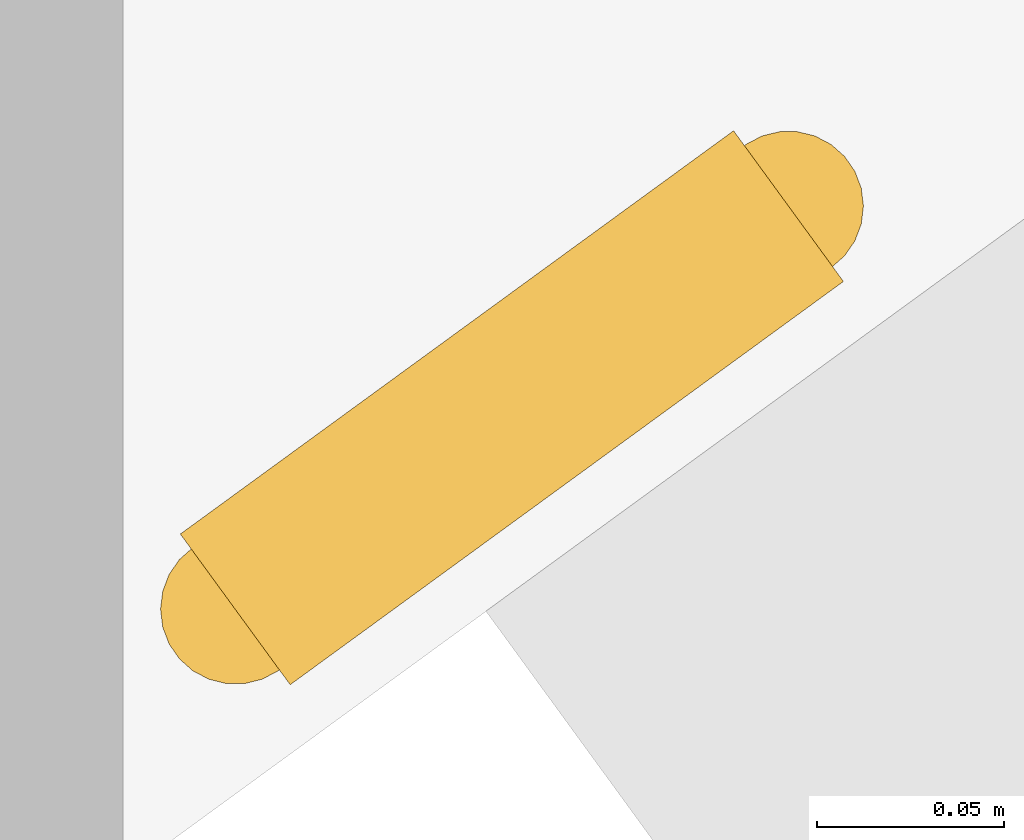
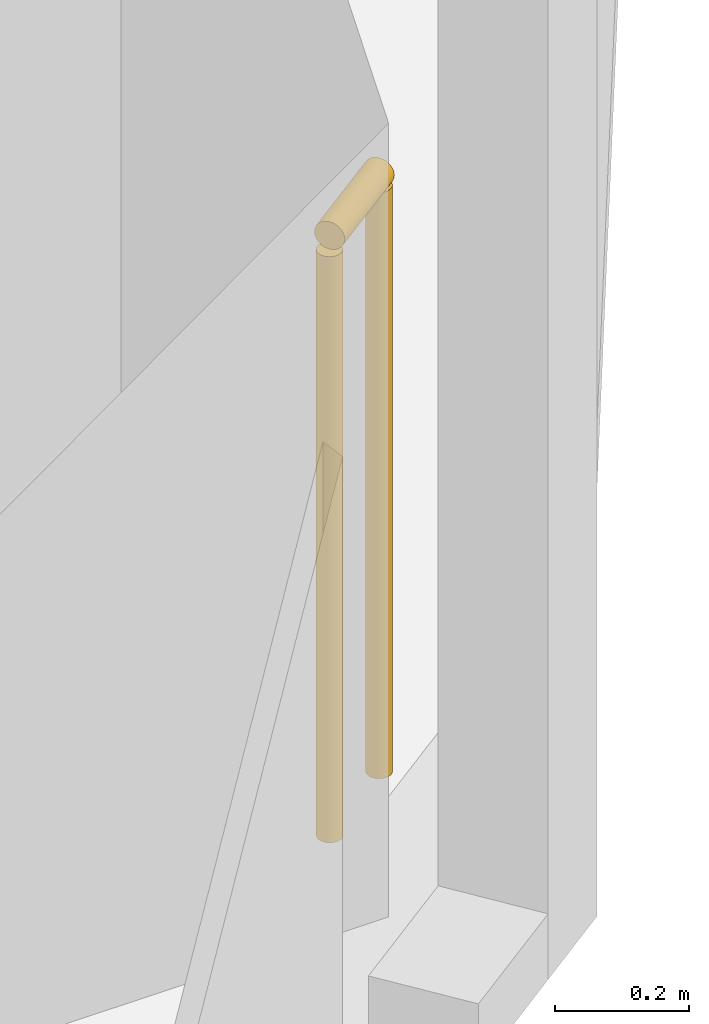
# One storey, part 23 of 23: 1 railing.
"""IFC4 building model written with IfcOpenShell, lengths in metres."""

from ifc_helpers import new_model, si_unit, direction, frame, origin, origin_2d, place, context, subcontext, project, spatial, circle, extrude, material, type_object, element, save


model = new_model("IFC4")

# Units and contexts
model_context = context("Model", 3, precision=1e-05, world=origin(), true_north=direction((0.0, 1.0)))
body_context = subcontext(model_context, "Body", "Model", "MODEL_VIEW")
ifc_project = project(units=[si_unit("LENGTHUNIT", "METRE"), si_unit("AREAUNIT", "SQUARE_METRE"), si_unit("VOLUMEUNIT", "CUBIC_METRE"), si_unit("PLANEANGLEUNIT", "RADIAN"), si_unit("MASSUNIT", "GRAM", prefix="KILO")], contexts=[model_context])

# Site, building, storey
site_placement = place(None, origin())
site = spatial("IfcSite", under=ifc_project, at=site_placement, CompositionType="ELEMENT")
building_placement = place(site_placement, origin())
building = spatial("IfcBuilding", under=site, at=building_placement, Name="Orlundy Tower", CompositionType="ELEMENT")
storey_placement = place(building_placement, frame((0.0, 0.0, 257.0)))
storey = spatial("IfcBuildingStorey", under=building, at=storey_placement, Name="L68", CompositionType="ELEMENT", Elevation=257.0)

# Railing
ifc_material = material(Name="Stainless steel bronze finish", Category="steel")
railing_type = type_object("IfcRailingType", Name="TG1 terrace guard", PredefinedType="GUARDRAIL", material=ifc_material)
railing_placement = place(storey_placement, frame((38.435791015625, -3.45361328125, 0.0)))
element("IfcRailing", 1, at=railing_placement, inside=storey, type_object=railing_type, Name="Guard TG-L68-E10", PredefinedType="GUARDRAIL", context=body_context, shape_type="SweptSolid", body=[
    extrude(circle(Radius=0.02490234375, at=origin_2d()), frame((0.0, 0.0, 1.09521484375), z_axis=(-0.80810025107, -0.589044976399, 0.0), x_axis=(0.589044976399, -0.80810025107, 0.0)), (0.0, 0.0, 1.0), 0.182861328125),
    extrude(circle(Radius=0.02001953125, at=origin_2d()), origin(), (0.0, 0.0, 1.0), 1.070068359375),
    extrude(circle(Radius=0.02001953125, at=origin_2d()), frame((-0.147705078125, -0.107666015625, 0.0)), (0.0, 0.0, 1.0), 1.070068359375),
])

save(model, "model.ifc")
